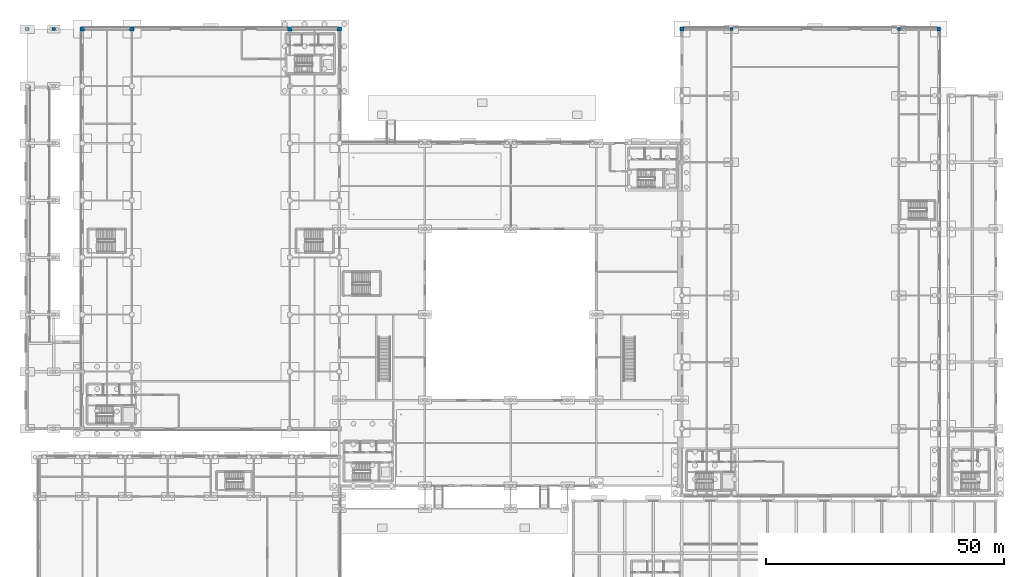
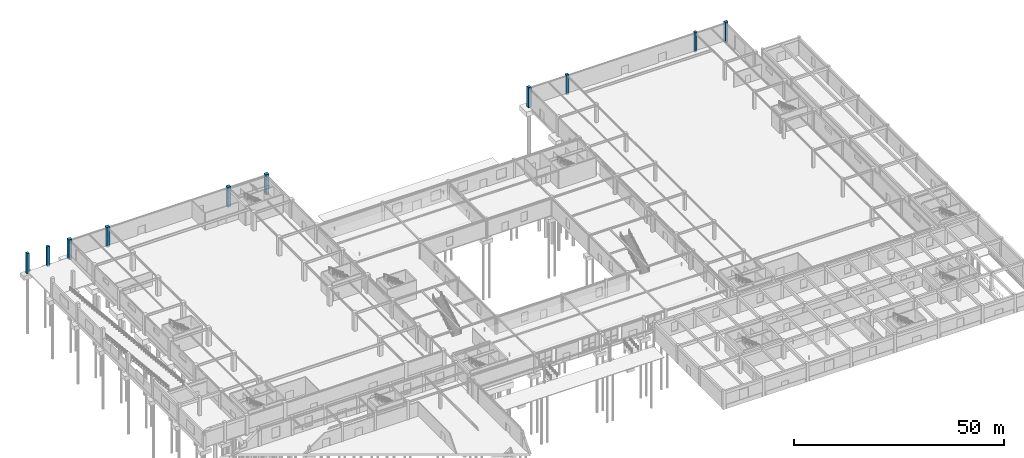
# One storey, part 10 of 53: 10 columns.
"""IFC4 building model written with IfcOpenShell, lengths in metres."""

from ifc_helpers import new_model, si_unit, derived_unit, direction, frame, origin, origin_2d, place, context, subcontext, project, spatial, rectangle, extrude, material, material_profile, profile_set, type_object, element, save


model = new_model("IFC4")

# Units and contexts
model_context = context("Model", 3, precision=1e-05, world=origin(), true_north=direction((0.0, 1.0)))
body_context = subcontext(model_context, "Body", "Model", "MODEL_VIEW")
ifc_project = project(units=[si_unit("LENGTHUNIT", "METRE"), si_unit("AREAUNIT", "SQUARE_METRE"), si_unit("VOLUMEUNIT", "CUBIC_METRE"), si_unit("PLANEANGLEUNIT", "RADIAN"), si_unit("MASSUNIT", "GRAM", prefix="KILO"), derived_unit("THERMALTRANSMITTANCEUNIT", [(si_unit("POWERUNIT", "WATT"), 1), (si_unit("LENGTHUNIT", "METRE"), -2), (si_unit("THERMODYNAMICTEMPERATUREUNIT", "KELVIN"), -1)])], contexts=[model_context])

# Site, building, storey
site_placement = place(None, origin())
site = spatial("IfcSite", under=ifc_project, at=site_placement, CompositionType="ELEMENT")
building_placement = place(site_placement, origin())
building = spatial("IfcBuilding", under=site, at=building_placement, Name="Almenara Railside Exhibition Hall", CompositionType="ELEMENT")
storey_placement = place(building_placement, origin())
storey = spatial("IfcBuildingStorey", under=building, at=storey_placement, Name="L00", CompositionType="ELEMENT", Elevation=0.0)

# Columns
ifc_material_1 = material(Name="Concrete C35/45", Category="concrete")
ifc_material_profile_1 = material_profile(ifc_material_1, rectangle(XDim=0.64990234375, YDim=0.64990234375, at=origin_2d()), Name="RC 650x650")
ifc_profile_set_1 = profile_set([ifc_material_profile_1], Name="Concrete C35/45")
column_type_1 = type_object("IfcColumnType", Name="RC Column 650x650 C35/45", PredefinedType="COLUMN", material=ifc_profile_set_1)
for number, where, z_axis, x_axis, name in (
    (1, (148.39990234375, 132.0, -0.43994140625), (0.0, 0.0, 1.0), (1.0, 0.0, 0.0), "Column 0133"),
    (2, (183.60009765625, 132.0, -0.43994140625), (0.0, 0.0, 1.0), (1.0, 0.0, 0.0), "Column 0135"),
):
    element("IfcColumn", number, at=place(storey_placement, frame(where, z_axis=z_axis, x_axis=x_axis)), inside=storey, type_object=column_type_1, Name=name, PredefinedType="COLUMN", context=body_context, shape_type="SweptSolid", body=[
        extrude(rectangle(XDim=0.64990234375, YDim=0.64990234375, at=origin_2d()), origin(), (0.0, 0.0, 1.0), 5.83984375),
    ])
ifc_material_2 = material(Name="Concrete C40/50", Category="concrete")
ifc_material_profile_2 = material_profile(ifc_material_2, rectangle(XDim=0.699951171875, YDim=0.699951171875, at=origin_2d()), Name="RC 700x700")
ifc_profile_set_2 = profile_set([ifc_material_profile_2], Name="Concrete C40/50")
column_type_2 = type_object("IfcColumnType", Name="RC Column 700x700 C40/50", PredefinedType="COLUMN", material=ifc_profile_set_2)
for number, where, z_axis, x_axis, name in (
    (3, (0.39990234375, 132.0, -0.43994140625), (0.0, 0.0, 1.0), (1.0, 0.0, 0.0), "Column 0279"),
    (4, (6.0, 132.0, -0.43994140625), (0.0, 0.0, 1.0), (1.0, 0.0, 0.0), "Column 0282"),
):
    element("IfcColumn", number, at=place(storey_placement, frame(where, z_axis=z_axis, x_axis=x_axis)), inside=storey, type_object=column_type_2, Name=name, PredefinedType="COLUMN", context=body_context, shape_type="SweptSolid", body=[
        extrude(rectangle(XDim=0.699951171875, YDim=0.699951171875, at=origin_2d()), origin(), (0.0, 0.0, 1.0), 5.83984375),
    ])
ifc_material_profile_3 = material_profile(ifc_material_2, rectangle(XDim=0.800048828125, YDim=0.800048828125, at=origin_2d()), Name="RC 800x800")
ifc_profile_set_3 = profile_set([ifc_material_profile_3], Name="Concrete C40/50")
column_type_3 = type_object("IfcColumnType", Name="RC Column 800x800 C40/50", PredefinedType="COLUMN", material=ifc_profile_set_3)
for number, where, z_axis, x_axis, name in (
    (5, (138.0, 132.0, -0.43994140625), (0.0, 0.0, 1.0), (1.0, 0.0, 0.0), "Column 0129"),
    (6, (192.0, 132.0, -0.43994140625), (0.0, 0.0, 1.0), (1.0, 0.0, 0.0), "Column 0131"),
):
    element("IfcColumn", number, at=place(storey_placement, frame(where, z_axis=z_axis, x_axis=x_axis)), inside=storey, type_object=column_type_3, Name=name, PredefinedType="COLUMN", context=body_context, shape_type="SweptSolid", body=[
        extrude(rectangle(XDim=0.800048828125, YDim=0.800048828125, at=origin_2d()), origin(), (0.0, 0.0, 1.0), 5.83984375),
    ])
ifc_material_profile_4 = material_profile(ifc_material_2, rectangle(XDim=0.89990234375, YDim=0.89990234375, at=origin_2d()), Name="RC 900x900")
ifc_profile_set_4 = profile_set([ifc_material_profile_4], Name="Concrete C40/50")
column_type_4 = type_object("IfcColumnType", Name="RC Column 900x900 C40/50", PredefinedType="COLUMN", material=ifc_profile_set_4)
for number, where, z_axis, x_axis, name in (
    (7, (12.0, 132.0, -0.43994140625), (0.0, 0.0, 1.0), (1.0, 0.0, 0.0), "Column 0073"),
    (8, (66.0, 132.0, -0.43994140625), (0.0, 0.0, 1.0), (1.0, 0.0, 0.0), "Column 0076"),
    (9, (22.39990234375, 132.0, -0.43994140625), (0.0, 0.0, 1.0), (1.0, 0.0, 0.0), "Column 0079"),
    (10, (55.60009765625, 132.0, -0.43994140625), (0.0, 0.0, 1.0), (1.0, 0.0, 0.0), "Column 0082"),
):
    element("IfcColumn", number, at=place(storey_placement, frame(where, z_axis=z_axis, x_axis=x_axis)), inside=storey, type_object=column_type_4, Name=name, PredefinedType="COLUMN", context=body_context, shape_type="SweptSolid", body=[
        extrude(rectangle(XDim=0.89990234375, YDim=0.89990234375, at=origin_2d()), origin(), (0.0, 0.0, 1.0), 5.83984375),
    ])

save(model, "model.ifc")
